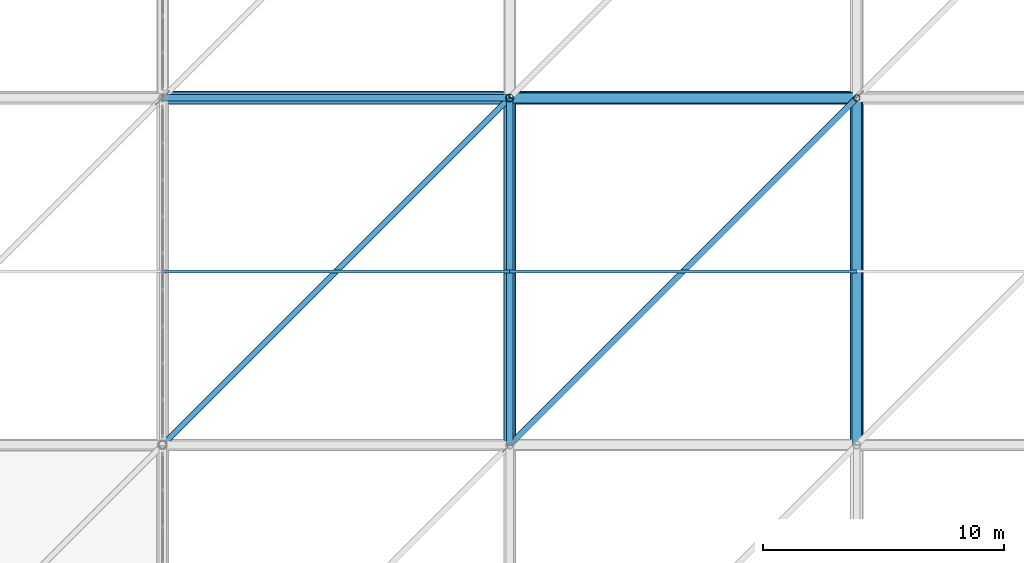
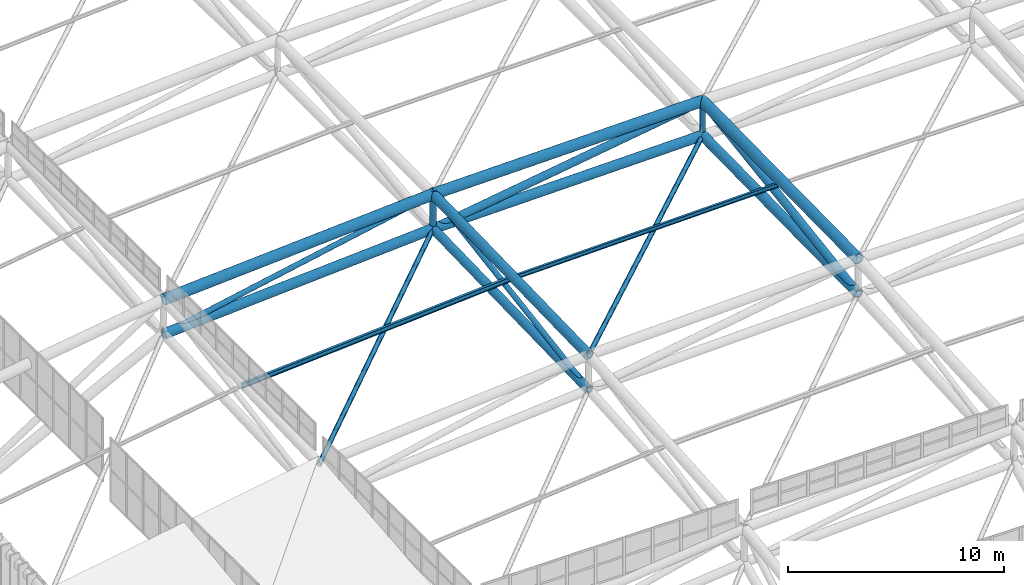
# One storey, part 75 of 397: 10 members, 8 beams.
"""IFC4 building model written with IfcOpenShell, lengths in metres."""

from ifc_helpers import new_model, si_unit, direction, frame, origin, origin_2d, place, context, subcontext, project, spatial, hollow_circle, i_section, extrude, material, material_profile, profile_set, type_object, element, save


model = new_model("IFC4")

# Units and contexts
model_context = context("Model", 3, precision=1e-05, world=origin(), true_north=direction((0.0, 1.0)))
body_context = subcontext(model_context, "Body", "Model", "MODEL_VIEW")
ifc_project = project(units=[si_unit("LENGTHUNIT", "METRE"), si_unit("AREAUNIT", "SQUARE_METRE"), si_unit("VOLUMEUNIT", "CUBIC_METRE"), si_unit("PLANEANGLEUNIT", "RADIAN"), si_unit("MASSUNIT", "GRAM", prefix="KILO")], contexts=[model_context])

# Site, building, storey
site_placement = place(None, origin())
site = spatial("IfcSite", under=ifc_project, at=site_placement, CompositionType="ELEMENT")
building_placement = place(site_placement, origin())
building = spatial("IfcBuilding", under=site, at=building_placement, Name="Qandorah Velis Arena", CompositionType="ELEMENT")
storey_placement = place(building_placement, frame((0.0, 0.0, 27.5)))
storey = spatial("IfcBuildingStorey", under=building, at=storey_placement, Name="RF", CompositionType="ELEMENT", Elevation=27.5)

# Members
ifc_material_1 = material(Name="Steel S355", Category="steel")
ifc_material_profile_1 = material_profile(ifc_material_1, i_section(OverallWidth=0.1201171875, OverallDepth=0.239990234375, WebThickness=0.006103515625, FlangeThickness=0.009765625, FilletRadius=0.014892578125, at=origin_2d()), Name="IPE 240")
ifc_profile_set_1 = profile_set([ifc_material_profile_1], Name="Steel S355")
member_type_1 = type_object("IfcMemberType", Name="STR-PRL-IPE240", PredefinedType="PURLIN", material=ifc_profile_set_1)
member_1_placement = place(storey_placement, frame((43.199951171875, 50.39990234375, 9.948974609375), z_axis=(0.999770458675, 0.0, 0.021424984483), x_axis=(0.0, 1.0, 0.0)))
element("IfcMember", 1, at=member_1_placement, inside=storey, type_object=member_type_1, Name="Arena roof purlin PRL-2.2", PredefinedType="PURLIN", context=body_context, shape_type="SweptSolid", body=[
    extrude(i_section(OverallWidth=0.1201171875, OverallDepth=0.239990234375, WebThickness=0.006103515625, FlangeThickness=0.009765625, FilletRadius=0.014892578125, at=origin_2d()), origin(), (0.0, 0.0, 1.0), 14.403564453125),
])
ifc_material_profile_2 = material_profile(ifc_material_1, i_section(OverallWidth=0.135009765625, OverallDepth=0.27001953125, WebThickness=0.006591796875, FlangeThickness=0.01025390625, FilletRadius=0.014892578125, at=origin_2d()), Name="IPE 270")
ifc_profile_set_2 = profile_set([ifc_material_profile_2], Name="Steel S355")
member_type_2 = type_object("IfcMemberType", Name="STR-PRL-IPE270", PredefinedType="PURLIN", material=ifc_profile_set_2)
member_2_placement = place(storey_placement, frame((28.800048828125, 50.39990234375, 8.92529296875), z_axis=(0.997482679922, 0.0, 0.07091052994), x_axis=(0.0, 1.0, 0.0)))
element("IfcMember", 2, at=member_2_placement, inside=storey, type_object=member_type_2, Name="Arena roof purlin PRL-1.2", PredefinedType="PURLIN", context=body_context, shape_type="SweptSolid", body=[
    extrude(i_section(OverallWidth=0.135009765625, OverallDepth=0.27001953125, WebThickness=0.006591796875, FlangeThickness=0.01025390625, FilletRadius=0.014892578125, at=origin_2d()), origin(), (0.0, 0.0, 1.0), 14.436279296875),
])

# Beams
ifc_material_profile_3 = material_profile(ifc_material_1, hollow_circle(Radius=0.228515625, WallThickness=0.01611328125, at=origin_2d()), Name="CHS 457x16")
ifc_profile_set_3 = profile_set([ifc_material_profile_3], Name="Steel S355")
beam_type_1 = type_object("IfcBeamType", Name="STR-SFC-CHS457X16", PredefinedType="USERDEFINED", material=ifc_profile_set_3)
beam_1_placement = place(storey_placement, frame((43.199951171875, 43.199951171875, 8.038818359375), z_axis=(0.0, 0.999687466414, 0.024999389874), x_axis=(-1.0, 0.0, 0.0)))
element("IfcBeam", 3, at=beam_1_placement, inside=storey, type_object=beam_type_1, Name="Space frame roof truss bottom chord Y 2.2", ObjectType="ROOF TRUSS", PredefinedType="USERDEFINED", context=body_context, shape_type="SweptSolid", body=[
    extrude(hollow_circle(Radius=0.228515625, WallThickness=0.01611328125, at=origin_2d()), origin(), (0.0, 0.0, 1.0), 14.404541015625),
])
ifc_material_profile_4 = material_profile(ifc_material_1, hollow_circle(Radius=0.25390625, WallThickness=0.02001953125, at=origin_2d()), Name="CHS 508x20")
ifc_profile_set_4 = profile_set([ifc_material_profile_4], Name="Steel S355")
beam_type_2 = type_object("IfcBeamType", Name="STR-SFC-CHS508X20", PredefinedType="USERDEFINED", material=ifc_profile_set_4)
beam_2_placement = place(storey_placement, frame((43.199951171875, 43.199951171875, 9.98876953125), z_axis=(0.0, 0.999687042695, 0.02501632801), x_axis=(-1.0, 0.0, 0.0)))
element("IfcBeam", 4, at=beam_2_placement, inside=storey, type_object=beam_type_2, Name="Space frame roof truss top chord Y 2.2", ObjectType="ROOF TRUSS", PredefinedType="USERDEFINED", context=body_context, shape_type="SweptSolid", body=[
    extrude(hollow_circle(Radius=0.25390625, WallThickness=0.02001953125, at=origin_2d()), origin(), (0.0, 0.0, 1.0), 14.404541015625),
])
ifc_material_profile_5 = material_profile(ifc_material_1, hollow_circle(Radius=0.25390625, WallThickness=0.02490234375, at=origin_2d()), Name="CHS 508x25")
ifc_profile_set_5 = profile_set([ifc_material_profile_5], Name="Steel S355")
beam_type_3 = type_object("IfcBeamType", Name="STR-SFC-CHS508X25", PredefinedType="USERDEFINED", material=ifc_profile_set_5)
beam_3_placement = place(storey_placement, frame((57.60009765625, 43.199951171875, 8.42333984375), z_axis=(0.0, 0.999895199404, 0.014477230732), x_axis=(-1.0, 0.0, 0.0)))
element("IfcBeam", 5, at=beam_3_placement, inside=storey, type_object=beam_type_3, Name="Space frame roof truss bottom chord Y 3.2", ObjectType="ROOF TRUSS", PredefinedType="USERDEFINED", context=body_context, shape_type="SweptSolid", body=[
    extrude(hollow_circle(Radius=0.25390625, WallThickness=0.02490234375, at=origin_2d()), origin(), (0.0, 0.0, 1.0), 14.401611328125),
])
beam_4_placement = place(storey_placement, frame((28.800048828125, 57.60009765625, 7.483154296875), z_axis=(0.997983908539, 0.0, 0.063467458562), x_axis=(0.0, 1.0, 0.0)))
element("IfcBeam", 6, at=beam_4_placement, inside=storey, type_object=beam_type_3, Name="Space frame roof truss bottom chord X 1.3", ObjectType="ROOF TRUSS", PredefinedType="USERDEFINED", context=body_context, shape_type="SweptSolid", body=[
    extrude(hollow_circle(Radius=0.25390625, WallThickness=0.02490234375, at=origin_2d()), origin(), (0.0, 0.0, 1.0), 14.428955078125),
])
beam_5_placement = place(storey_placement, frame((43.199951171875, 57.60009765625, 8.39892578125), z_axis=(0.999869224064, 0.0, 0.016172036684), x_axis=(0.0, 1.0, 0.0)))
element("IfcBeam", 7, at=beam_5_placement, inside=storey, type_object=beam_type_3, Name="Space frame roof truss bottom chord X 2.3", ObjectType="ROOF TRUSS", PredefinedType="USERDEFINED", context=body_context, shape_type="SweptSolid", body=[
    extrude(hollow_circle(Radius=0.25390625, WallThickness=0.02490234375, at=origin_2d()), origin(), (0.0, 0.0, 1.0), 14.402099609375),
])
ifc_material_profile_6 = material_profile(ifc_material_1, hollow_circle(Radius=0.279541015625, WallThickness=0.02490234375, at=origin_2d()), Name="CHS 559x25")
ifc_profile_set_6 = profile_set([ifc_material_profile_6], Name="Steel S355")
beam_type_4 = type_object("IfcBeamType", Name="STR-SFC-CHS559X25", PredefinedType="USERDEFINED", material=ifc_profile_set_6)
beam_6_placement = place(storey_placement, frame((57.60009765625, 43.199951171875, 10.373291015625), z_axis=(0.0, 0.999895199404, 0.014477230732), x_axis=(-1.0, 0.0, 0.0)))
element("IfcBeam", 8, at=beam_6_placement, inside=storey, type_object=beam_type_4, Name="Space frame roof truss top chord Y 3.2", ObjectType="ROOF TRUSS", PredefinedType="USERDEFINED", context=body_context, shape_type="SweptSolid", body=[
    extrude(hollow_circle(Radius=0.279541015625, WallThickness=0.02490234375, at=origin_2d()), origin(), (0.0, 0.0, 1.0), 14.401611328125),
])
beam_7_placement = place(storey_placement, frame((28.800048828125, 57.60009765625, 9.43310546875), z_axis=(0.997982836685, 0.0, 0.063484310523), x_axis=(0.0, 1.0, 0.0)))
element("IfcBeam", 9, at=beam_7_placement, inside=storey, type_object=beam_type_4, Name="Space frame roof truss top chord X 1.3", ObjectType="ROOF TRUSS", PredefinedType="USERDEFINED", context=body_context, shape_type="SweptSolid", body=[
    extrude(hollow_circle(Radius=0.279541015625, WallThickness=0.02490234375, at=origin_2d()), origin(), (0.0, 0.0, 1.0), 14.428955078125),
])
beam_8_placement = place(storey_placement, frame((43.199951171875, 57.60009765625, 10.34912109375), z_axis=(0.99986949803, 0.0, 0.016155089291), x_axis=(0.0, 1.0, 0.0)))
element("IfcBeam", 10, at=beam_8_placement, inside=storey, type_object=beam_type_4, Name="Space frame roof truss top chord X 2.3", ObjectType="ROOF TRUSS", PredefinedType="USERDEFINED", context=body_context, shape_type="SweptSolid", body=[
    extrude(hollow_circle(Radius=0.279541015625, WallThickness=0.02490234375, at=origin_2d()), origin(), (0.0, 0.0, 1.0), 14.402099609375),
])

# Members
ifc_material_profile_7 = material_profile(ifc_material_1, hollow_circle(Radius=0.122314453125, WallThickness=0.012451171875, at=origin_2d()), Name="CHS 244.5x12.5")
ifc_profile_set_7 = profile_set([ifc_material_profile_7], Name="Steel S355")
member_type_3 = type_object("IfcMemberType", Name="STR-SFD-CHS244X12", PredefinedType="STRUT", material=ifc_profile_set_7)
member_3_placement = place(storey_placement, frame((43.199951171875, 57.60009765625, 8.39892578125), z_axis=(-0.706921452681, -0.706933438057, 0.022520521678), x_axis=(0.707112775369, -0.707100786953, 0.0)))
element("IfcMember", 11, at=member_3_placement, inside=storey, type_object=member_type_3, Name="Space frame roof spatial diagonal 1.2", PredefinedType="STRUT", context=body_context, shape_type="SweptSolid", body=[
    extrude(hollow_circle(Radius=0.122314453125, WallThickness=0.012451171875, at=origin_2d()), origin(), (0.0, 0.0, 1.0), 20.369873046875),
])
member_4_placement = place(storey_placement, frame((57.60009765625, 57.60009765625, 8.6318359375), z_axis=(-0.70554231849, -0.70554231849, 0.066483634372), x_axis=(0.707106781187, -0.707106781187, 0.0)))
element("IfcMember", 12, at=member_4_placement, inside=storey, type_object=member_type_3, Name="Space frame roof spatial diagonal 2.2", PredefinedType="STRUT", context=body_context, shape_type="SweptSolid", body=[
    extrude(hollow_circle(Radius=0.122314453125, WallThickness=0.012451171875, at=origin_2d()), origin(), (0.0, 0.0, 1.0), 20.41015625),
])
ifc_material_profile_8 = material_profile(ifc_material_1, hollow_circle(Radius=0.136474609375, WallThickness=0.010009765625, at=origin_2d()), Name="CHS 273x10")
ifc_profile_set_8 = profile_set([ifc_material_profile_8], Name="Steel S355")
member_type_4 = type_object("IfcMemberType", Name="STR-SFD-CHS273X10", PredefinedType="STRUT", material=ifc_profile_set_8)
member_5_placement = place(storey_placement, frame((43.199951171875, 43.199951171875, 8.038818359375), z_axis=(0.0, 0.987373373893, 0.158410291731), x_axis=(-1.0, 0.0, 0.0)))
element("IfcMember", 13, at=member_5_placement, inside=storey, type_object=member_type_4, Name="Space frame roof diagonal Y 2.2", PredefinedType="STRUT", context=body_context, shape_type="SweptSolid", body=[
    extrude(hollow_circle(Radius=0.136474609375, WallThickness=0.010009765625, at=origin_2d()), origin(), (0.0, 0.0, 1.0), 14.584228515625),
])
ifc_material_profile_9 = material_profile(ifc_material_1, hollow_circle(Radius=0.136474609375, WallThickness=0.012451171875, at=origin_2d()), Name="CHS 273x12.5")
ifc_profile_set_9 = profile_set([ifc_material_profile_9], Name="Steel S355")
member_type_5 = type_object("IfcMemberType", Name="STR-SFD-CHS273X12", PredefinedType="STRUT", material=ifc_profile_set_9)
member_6_placement = place(storey_placement, frame((57.60009765625, 57.60009765625, 8.6318359375), z_axis=(0.0, 0.0, 1.0), x_axis=(1.0, 0.0, 0.0)))
element("IfcMember", 14, at=member_6_placement, inside=storey, type_object=member_type_5, Name="Space frame roof vertical post 3.3", PredefinedType="STRUT", context=body_context, shape_type="SweptSolid", body=[
    extrude(hollow_circle(Radius=0.136474609375, WallThickness=0.012451171875, at=origin_2d()), origin(), (0.0, 0.0, 1.0), 2.2099609375),
])
member_7_placement = place(storey_placement, frame((28.800048828125, 57.60009765625, 7.483154296875), z_axis=(0.980763795836, 0.0, 0.195198301165), x_axis=(0.0, 1.0, 0.0)))
element("IfcMember", 15, at=member_7_placement, inside=storey, type_object=member_type_5, Name="Space frame roof diagonal X 1.3", PredefinedType="STRUT", context=body_context, shape_type="SweptSolid", body=[
    extrude(hollow_circle(Radius=0.136474609375, WallThickness=0.012451171875, at=origin_2d()), origin(), (0.0, 0.0, 1.0), 14.682373046875),
])
ifc_material_profile_10 = material_profile(ifc_material_1, hollow_circle(Radius=0.161865234375, WallThickness=0.012451171875, at=origin_2d()), Name="CHS 323.9x12.5")
ifc_profile_set_10 = profile_set([ifc_material_profile_10], Name="Steel S355")
member_type_6 = type_object("IfcMemberType", Name="STR-SFD-CHS323X12", PredefinedType="CHORD", material=ifc_profile_set_10)
member_8_placement = place(storey_placement, frame((43.199951171875, 57.60009765625, 8.39892578125), z_axis=(0.0, 0.0, 1.0), x_axis=(1.0, 0.0, 0.0)))
element("IfcMember", 16, at=member_8_placement, inside=storey, type_object=member_type_6, Name="Space frame roof vertical post 2.3", PredefinedType="CHORD", context=body_context, shape_type="SweptSolid", body=[
    extrude(hollow_circle(Radius=0.161865234375, WallThickness=0.012451171875, at=origin_2d()), origin(), (0.0, 0.0, 1.0), 2.2099609375),
])
ifc_material_profile_11 = material_profile(ifc_material_1, hollow_circle(Radius=0.203125, WallThickness=0.01611328125, at=origin_2d()), Name="CHS 406.4x16")
ifc_profile_set_11 = profile_set([ifc_material_profile_11], Name="Steel S355")
member_type_7 = type_object("IfcMemberType", Name="STR-SFD-CHS406X16", PredefinedType="STRUT", material=ifc_profile_set_11)
member_9_placement = place(storey_placement, frame((43.199951171875, 57.60009765625, 8.39892578125), z_axis=(0.988705119305, 0.0, 0.149873903866), x_axis=(0.0, 1.0, 0.0)))
element("IfcMember", 17, at=member_9_placement, inside=storey, type_object=member_type_7, Name="Space frame roof diagonal X 2.3", PredefinedType="STRUT", context=body_context, shape_type="SweptSolid", body=[
    extrude(hollow_circle(Radius=0.203125, WallThickness=0.01611328125, at=origin_2d()), origin(), (0.0, 0.0, 1.0), 14.564697265625),
])
ifc_material_2 = material(Name="Steel S460", Category="steel")
ifc_material_profile_12 = material_profile(ifc_material_2, hollow_circle(Radius=0.203125, WallThickness=0.02001953125, at=origin_2d()), Name="CHS 406.4x20")
ifc_profile_set_12 = profile_set([ifc_material_profile_12], Name="Steel S460")
member_type_8 = type_object("IfcMemberType", Name="STR-SFD-CHS406X20", PredefinedType="STRUT", material=ifc_profile_set_12)
member_10_placement = place(storey_placement, frame((57.60009765625, 43.199951171875, 8.42333984375), z_axis=(0.0, 0.988952212067, 0.148234686382), x_axis=(-1.0, 0.0, 0.0)))
element("IfcMember", 18, at=member_10_placement, inside=storey, type_object=member_type_8, Name="Space frame roof diagonal Y 3.2", PredefinedType="STRUT", context=body_context, shape_type="SweptSolid", body=[
    extrude(hollow_circle(Radius=0.203125, WallThickness=0.02001953125, at=origin_2d()), origin(), (0.0, 0.0, 1.0), 14.56103515625),
])

save(model, "model.ifc")
